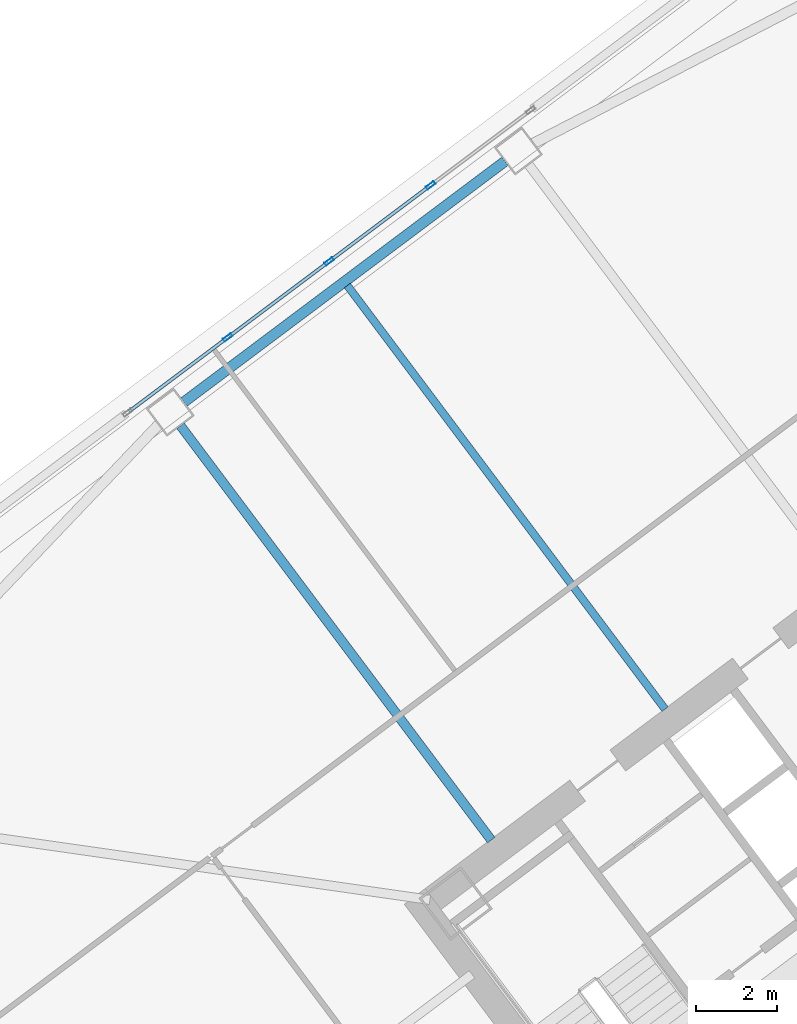
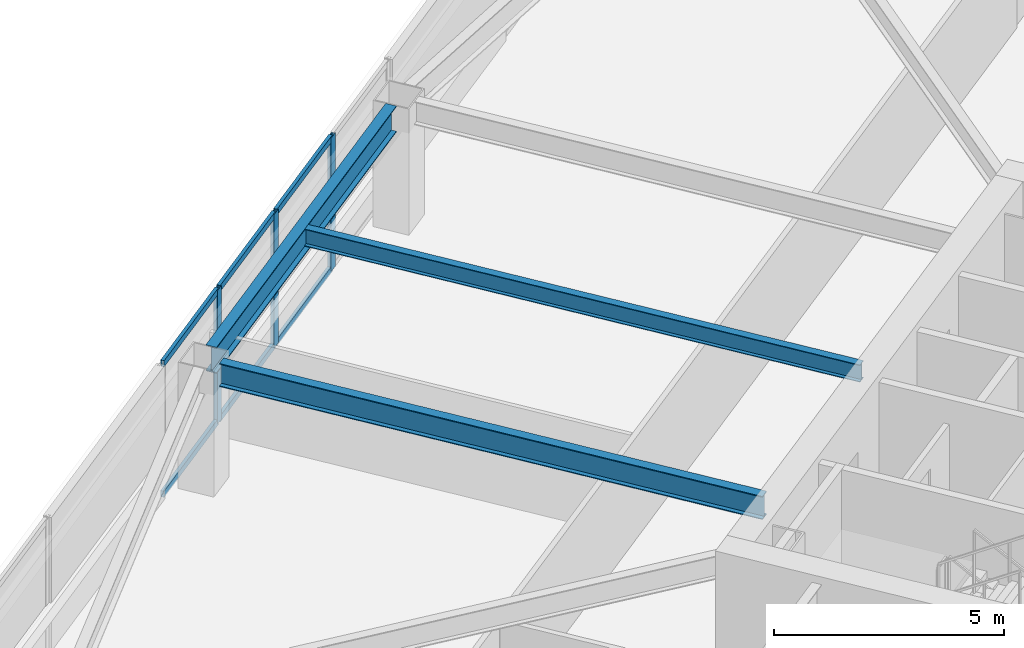
# One storey, part 29 of 47: 9 members, 3 beams, 1 element without a shape of its own.
"""IFC4 building model written with IfcOpenShell, lengths in metres."""

from ifc_helpers import new_model, si_unit, direction, frame, origin, origin_2d, place, context, subcontext, project, spatial, hollow_rectangle, i_section, extrude, material, material_profile, profile_set, type_object, element, aggregate, save


model = new_model("IFC4")

# Units and contexts
model_context = context("Model", 3, precision=1e-05, world=origin(), true_north=direction((0.0, 1.0)))
body_context = subcontext(model_context, "Body", "Model", "MODEL_VIEW")
ifc_project = project(units=[si_unit("LENGTHUNIT", "METRE"), si_unit("AREAUNIT", "SQUARE_METRE"), si_unit("VOLUMEUNIT", "CUBIC_METRE"), si_unit("PLANEANGLEUNIT", "RADIAN"), si_unit("MASSUNIT", "GRAM", prefix="KILO")], contexts=[model_context])

# Site, building, storey
site_placement = place(None, origin())
site = spatial("IfcSite", under=ifc_project, at=site_placement, CompositionType="ELEMENT")
building_placement = place(site_placement, origin())
building = spatial("IfcBuilding", under=site, at=building_placement, Name="Tashvorn Skyway Center", CompositionType="ELEMENT")
storey_placement = place(building_placement, frame((0.0, 0.0, 42.35009765625)))
storey = spatial("IfcBuildingStorey", under=building, at=storey_placement, Name="L10", CompositionType="ELEMENT", Elevation=42.35009765625)

# Beams
ifc_material_1 = material(Name="Steel ASTM A992 Grade 50", Category="steel")
ifc_material_profile_1 = material_profile(ifc_material_1, i_section(OverallWidth=0.22998046875, OverallDepth=0.616943359375, WebThickness=0.01318359375, FlangeThickness=0.022216796875, at=origin_2d()), Name="W24X94")
ifc_profile_set_1 = profile_set([ifc_material_profile_1], Name="Steel ASTM A992 Grade 50")
beam_type_1 = type_object("IfcBeamType", Name="BM-BEAM-W24X94", PredefinedType="BEAM", material=ifc_profile_set_1)
beam_1_placement = place(storey_placement, frame((97.302001953125, 45.263916015625, 3.04150390625), z_axis=(0.599996960112, -0.800002279907, 0.0), x_axis=(0.800002279907, 0.599996960112, 0.0)))
element("IfcBeam", 1, at=beam_1_placement, inside=storey, type_object=beam_type_1, Name="Tower 2 L10 Primary Floor Girder FC-N2", PredefinedType="BEAM", context=body_context, shape_type="SweptSolid", body=[
    extrude(i_section(OverallWidth=0.22998046875, OverallDepth=0.616943359375, WebThickness=0.01318359375, FlangeThickness=0.022216796875, at=origin_2d()), origin(), (0.0, 0.0, 1.0), 12.85009765625),
])
ifc_material_profile_2 = material_profile(ifc_material_1, i_section(OverallWidth=0.19091796875, OverallDepth=0.4599609375, WebThickness=0.010009765625, FlangeThickness=0.01611328125, at=origin_2d()), Name="W18X55")
ifc_profile_set_2 = profile_set([ifc_material_profile_2], Name="Steel ASTM A992 Grade 50")
beam_type_2 = type_object("IfcBeamType", Name="BM-JOIST-W18X55", PredefinedType="JOIST", material=ifc_profile_set_2)
beam_2_placement = place(storey_placement, frame((109.325927734375, 38.23193359375, 3.119873046875), z_axis=(-0.600002972791, 0.799997770398, 0.0), x_axis=(-0.799997770398, -0.600002972791, 0.0)))
element("IfcBeam", 2, at=beam_2_placement, inside=storey, type_object=beam_type_2, Name="Tower 2 L10 Secondary Composite Joist JN", PredefinedType="JOIST", context=body_context, shape_type="SweptSolid", body=[
    extrude(i_section(OverallWidth=0.19091796875, OverallDepth=0.4599609375, WebThickness=0.010009765625, FlangeThickness=0.01611328125, at=origin_2d()), origin(), (0.0, 0.0, 1.0), 13.139892578125),
])
ifc_material_profile_3 = material_profile(ifc_material_1, i_section(OverallWidth=0.256103515625, OverallDepth=0.693115234375, WebThickness=0.014404296875, FlangeThickness=0.023681640625, at=origin_2d()), Name="W27X114")
ifc_profile_set_3 = profile_set([ifc_material_profile_3], Name="Steel ASTM A992 Grade 50")
beam_type_3 = type_object("IfcBeamType", Name="BM-SPANDREL-W27X114", PredefinedType="SPANDREL", material=ifc_profile_set_3)
beam_3_placement = place(storey_placement, frame((105.35400390625, 51.827880859375, 3.00341796875), z_axis=(-0.800008824351, -0.599988234018, 0.0), x_axis=(0.599988234018, -0.800008824351, 0.0)))
element("IfcBeam", 3, at=beam_3_placement, inside=storey, type_object=beam_type_3, Name="Tower 2 L10 Spandrel Beam 08", PredefinedType="SPANDREL", context=body_context, shape_type="SweptSolid", body=[
    extrude(i_section(OverallWidth=0.256103515625, OverallDepth=0.693115234375, WebThickness=0.014404296875, FlangeThickness=0.023681640625, at=origin_2d()), origin(), (0.0, 0.0, 1.0), 9.9599609375),
])

# Curtain wall, members
ifc_material_2 = material(Name="Thermally broken bronze-anodized aluminium 6063-T6", Category="aluminium")
curtain_wall_type = type_object("IfcCurtainWallType", Name="CW-CW-Z1", PredefinedType="NOTDEFINED", material=ifc_material_2)
curtain_wall_placement = place(storey_placement, origin())
curtain_wall = element("IfcCurtainWall", 4, at=curtain_wall_placement, inside=storey, type_object=curtain_wall_type, Name="Tower 2 L10 North Unitised Curtain Wall Glazing Group 2", PredefinedType="NOTDEFINED")
ifc_material_profile_4 = material_profile(ifc_material_2, hollow_rectangle(XDim=0.0849609375, YDim=0.239990234375, WallThickness=0.0048828125, at=origin_2d()), Name="ALU-MULL-85x240")
ifc_profile_set_4 = profile_set([ifc_material_profile_4], Name="Thermally broken bronze-anodized aluminium 6063-T6")
member_type_1 = type_object("IfcMemberType", Name="CWM-CW-Z1", PredefinedType="MULLION", material=ifc_profile_set_4)
member_1_placement = place(storey_placement, frame((98.474609375, 47.4560546875, 0.0), z_axis=(0.0, 0.0, 1.0), x_axis=(-0.599997457641, 0.800001906763, 0.0)))
member_1 = element("IfcMember", 5, at=member_1_placement, type_object=member_type_1, Name="CW-Z1 mullion 2", PredefinedType="MULLION", context=body_context, shape_type="SweptSolid", body=[
    extrude(hollow_rectangle(XDim=0.0849609375, YDim=0.239990234375, WallThickness=0.0048828125, at=origin_2d()), origin(), (0.0, 0.0, 1.0), 3.5498046875),
])
member_2_placement = place(storey_placement, frame((100.991943359375, 49.343994140625, 0.0), z_axis=(0.0, 0.0, 1.0), x_axis=(-0.599997457641, 0.800001906763, 0.0)))
member_2 = element("IfcMember", 6, at=member_2_placement, type_object=member_type_1, Name="CW-Z1 mullion 3", PredefinedType="MULLION", context=body_context, shape_type="SweptSolid", body=[
    extrude(hollow_rectangle(XDim=0.0849609375, YDim=0.239990234375, WallThickness=0.0048828125, at=origin_2d()), origin(), (0.0, 0.0, 1.0), 3.5498046875),
])
member_3_placement = place(storey_placement, frame((103.50927734375, 51.23193359375, 0.0), z_axis=(0.0, 0.0, 1.0), x_axis=(-0.599997457641, 0.800001906763, 0.0)))
member_3 = element("IfcMember", 7, at=member_3_placement, type_object=member_type_1, Name="CW-Z1 mullion 4", PredefinedType="MULLION", context=body_context, shape_type="SweptSolid", body=[
    extrude(hollow_rectangle(XDim=0.0849609375, YDim=0.239990234375, WallThickness=0.0048828125, at=origin_2d()), origin(), (0.0, 0.0, 1.0), 3.5498046875),
])
ifc_material_profile_5 = material_profile(ifc_material_2, hollow_rectangle(XDim=0.0849609375, YDim=0.1650390625, WallThickness=0.0048828125, at=origin_2d()), Name="ALU-TRAN-85x165")
ifc_profile_set_5 = profile_set([ifc_material_profile_5], Name="Thermally broken bronze-anodized aluminium 6063-T6")
member_type_2 = type_object("IfcMemberType", Name="CWT-CW-Z1", PredefinedType="USERDEFINED", material=ifc_profile_set_5)
member_4_placement = place(storey_placement, frame((96.025390625, 45.618896484375, 0.04248046875), z_axis=(0.799990296182, 0.600012938206, 0.0), x_axis=(-0.600012938206, 0.799990296182, 0.0)))
member_4 = element("IfcMember", 8, at=member_4_placement, type_object=member_type_2, Name="CW-Z1 transom 1.1", ObjectType="TRANSOM", PredefinedType="USERDEFINED", context=body_context, shape_type="SweptSolid", body=[
    extrude(hollow_rectangle(XDim=0.0849609375, YDim=0.1650390625, WallThickness=0.0048828125, at=origin_2d()), origin(), (0.0, 0.0, 1.0), 3.01904296875),
])
member_5_placement = place(storey_placement, frame((96.025390625, 45.618896484375, 3.50732421875), z_axis=(0.799990296182, 0.600012938206, 0.0), x_axis=(-0.600012938206, 0.799990296182, 0.0)))
member_5 = element("IfcMember", 9, at=member_5_placement, type_object=member_type_2, Name="CW-Z1 transom 1.2", ObjectType="TRANSOM", PredefinedType="USERDEFINED", context=body_context, shape_type="SweptSolid", body=[
    extrude(hollow_rectangle(XDim=0.0849609375, YDim=0.1650390625, WallThickness=0.0048828125, at=origin_2d()), origin(), (0.0, 0.0, 1.0), 3.01904296875),
])
member_6_placement = place(storey_placement, frame((98.508544921875, 47.4814453125, 0.04248046875), z_axis=(0.799990431589, 0.60001275767, 0.0), x_axis=(-0.60001275767, 0.799990431589, 0.0)))
member_6 = element("IfcMember", 10, at=member_6_placement, type_object=member_type_2, Name="CW-Z1 transom 2.1", ObjectType="TRANSOM", PredefinedType="USERDEFINED", context=body_context, shape_type="SweptSolid", body=[
    extrude(hollow_rectangle(XDim=0.0849609375, YDim=0.1650390625, WallThickness=0.0048828125, at=origin_2d()), origin(), (0.0, 0.0, 1.0), 3.061767578125),
])
member_7_placement = place(storey_placement, frame((98.508544921875, 47.4814453125, 3.50732421875), z_axis=(0.799990431589, 0.60001275767, 0.0), x_axis=(-0.60001275767, 0.799990431589, 0.0)))
member_7 = element("IfcMember", 11, at=member_7_placement, type_object=member_type_2, Name="CW-Z1 transom 2.2", ObjectType="TRANSOM", PredefinedType="USERDEFINED", context=body_context, shape_type="SweptSolid", body=[
    extrude(hollow_rectangle(XDim=0.0849609375, YDim=0.1650390625, WallThickness=0.0048828125, at=origin_2d()), origin(), (0.0, 0.0, 1.0), 3.061767578125),
])
member_8_placement = place(storey_placement, frame((101.02587890625, 49.369384765625, 0.04248046875), z_axis=(0.799990431589, 0.60001275767, 0.0), x_axis=(-0.60001275767, 0.799990431589, 0.0)))
member_8 = element("IfcMember", 12, at=member_8_placement, type_object=member_type_2, Name="CW-Z1 transom 3.1", ObjectType="TRANSOM", PredefinedType="USERDEFINED", context=body_context, shape_type="SweptSolid", body=[
    extrude(hollow_rectangle(XDim=0.0849609375, YDim=0.1650390625, WallThickness=0.0048828125, at=origin_2d()), origin(), (0.0, 0.0, 1.0), 3.061767578125),
])
member_9_placement = place(storey_placement, frame((101.02587890625, 49.369384765625, 3.50732421875), z_axis=(0.799990431589, 0.60001275767, 0.0), x_axis=(-0.60001275767, 0.799990431589, 0.0)))
member_9 = element("IfcMember", 13, at=member_9_placement, type_object=member_type_2, Name="CW-Z1 transom 3.2", ObjectType="TRANSOM", PredefinedType="USERDEFINED", context=body_context, shape_type="SweptSolid", body=[
    extrude(hollow_rectangle(XDim=0.0849609375, YDim=0.1650390625, WallThickness=0.0048828125, at=origin_2d()), origin(), (0.0, 0.0, 1.0), 3.061767578125),
])
aggregate(curtain_wall, [member_1, member_2, member_3, member_4, member_5, member_6, member_7, member_8, member_9])

save(model, "model.ifc")
